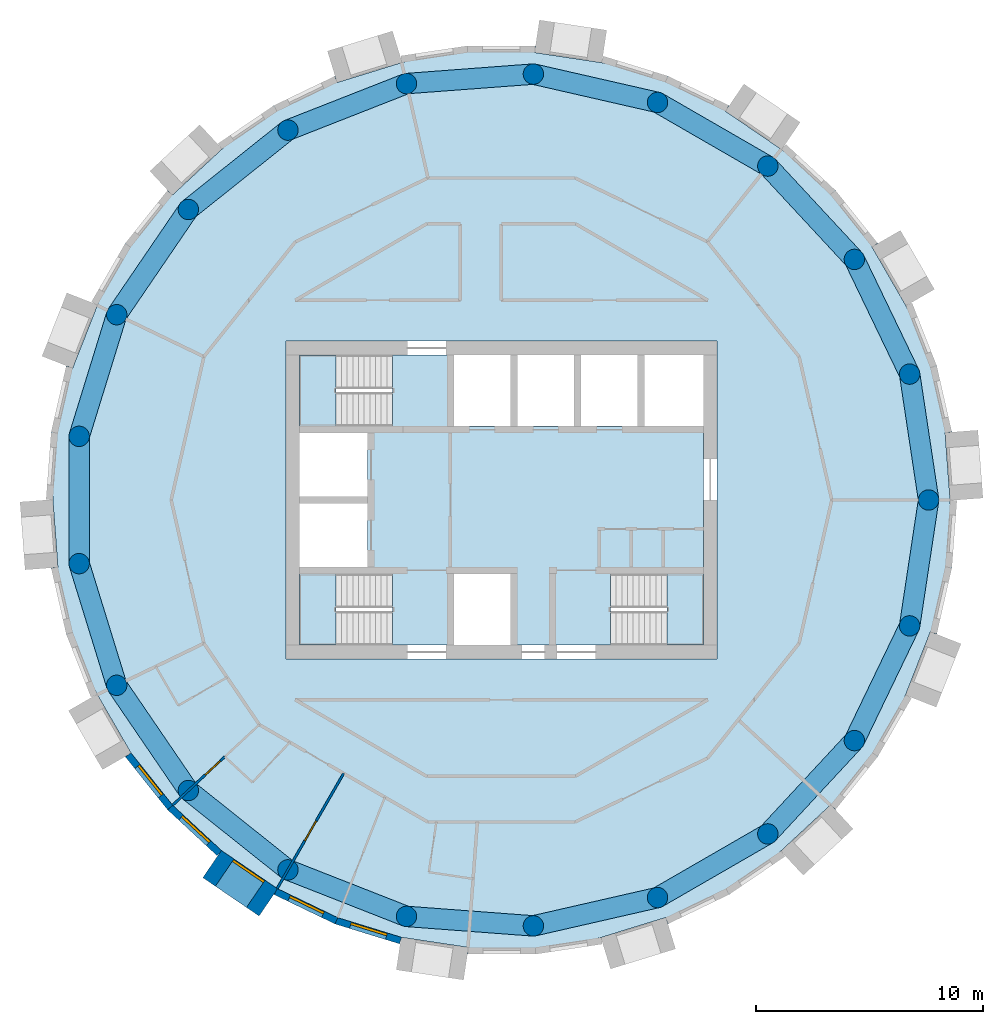
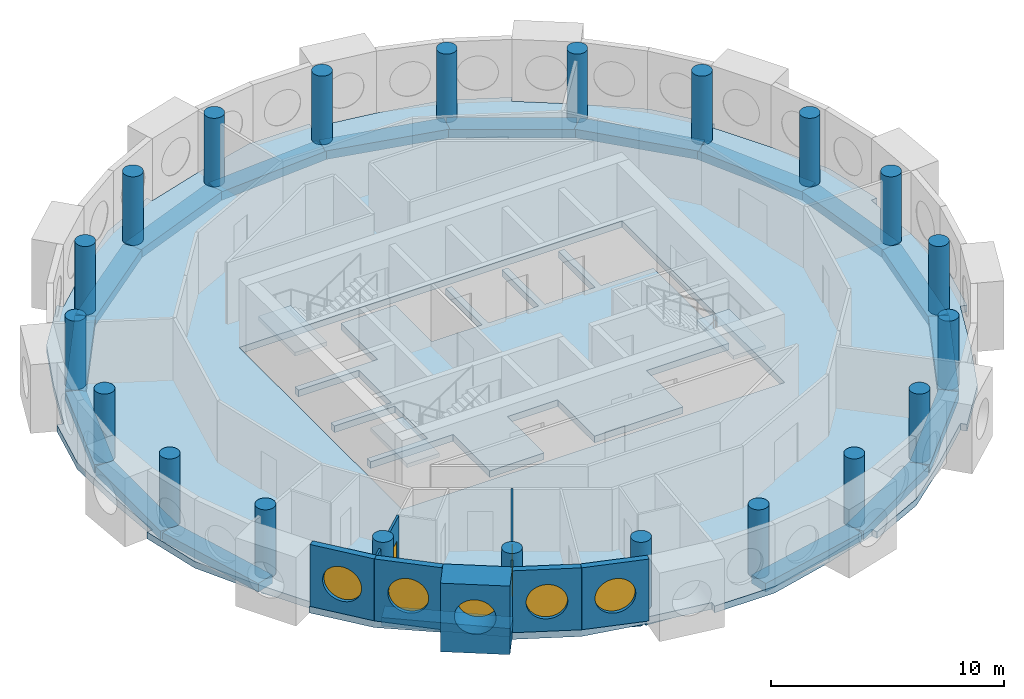
# One storey, part 1 of 12: 21 beams, 21 columns, 7 walls, 5 slabs, 5 windows, 2 doors, 7 openings, 3 elements without a shape of their own.
"""IFC4 building model written with IfcOpenShell, lengths in metres."""

import ifcopenshell
import ifcopenshell.guid

model = None  # the IFC model being written
_history = None  # IfcOwnerHistory: only IFC2X3 demands one
_inside = {}  # id of a spatial element -> (the spatial element, [elements in it])
_under = {}  # id of a project, library or spatial element -> (it, [spatial elements below it])
_declared = {}  # id of a project -> (the project, [libraries it declares])
_typed = {}  # id of a type object -> (the type object, [elements of that type])
_made_of = {}  # id of a material, layer set ... -> (it, [elements and type objects made of it])


def new_model(schema):
    """Start an empty IFC model of exactly this schema.

    Asked for "IFC4X3", IfcOpenShell would pick the latest addendum, in which some entities
    have other attributes; the version numbers below select the first issue.
    IFC2X3 requires an IfcOwnerHistory on every rooted entity: one is made here for all.
    """
    global model, _history
    if schema == "IFC4X3":
        model = ifcopenshell.file(schema_version=(4, 3, 0, 0))
    else:
        model = ifcopenshell.file(schema=schema)
    _inside.clear()
    _under.clear()
    _declared.clear()
    _typed.clear()
    _made_of.clear()
    _history = None
    if model.schema == "IFC2X3":
        org = make("IfcOrganization", Name="unknown")
        user = make(
            "IfcPersonAndOrganization",
            ThePerson=make("IfcPerson", FamilyName="unknown"),
            TheOrganization=org,
        )
        app = make(
            "IfcApplication",
            ApplicationDeveloper=org,
            Version="unknown",
            ApplicationFullName="unknown",
            ApplicationIdentifier="unknown",
        )
        _history = make(
            "IfcOwnerHistory",
            OwningUser=user,
            OwningApplication=app,
            ChangeAction="ADDED",
            CreationDate=0,
        )
    return model


def make(cls, **values):
    """One entity of the class cls with the attributes given. An attribute that is None is left unset."""
    return model.create_entity(
        cls, **{name: value for name, value in values.items() if value is not None}
    )


def rooted(cls, **values):
    """An entity with a GlobalId (a new one), such as an element, a storey or a relation."""
    return make(cls, GlobalId=ifcopenshell.guid.new(), OwnerHistory=_history, **values)


def si_unit(unit_type, name, prefix=None):
    """IfcSIUnit, for example si_unit("LENGTHUNIT", "METRE", prefix="MILLI")."""
    return make("IfcSIUnit", UnitType=unit_type, Prefix=prefix, Name=name)


def assignment(units):
    """IfcUnitAssignment: the units of a project."""
    return None if units is None else make("IfcUnitAssignment", Units=units)


def point(xyz):
    """IfcCartesianPoint."""
    return None if xyz is None else make("IfcCartesianPoint", Coordinates=xyz)


def direction(xyz):
    """IfcDirection."""
    return None if xyz is None else make("IfcDirection", DirectionRatios=xyz)


def frame(location, z_axis=None, x_axis=None):
    """IfcAxis2Placement3D, a coordinate frame: its origin and axes. An axis left out is left unset."""
    return make(
        "IfcAxis2Placement3D",
        Location=point(location),
        Axis=direction(z_axis),
        RefDirection=direction(x_axis),
    )


def frame_2d(location, x_axis=None):
    """IfcAxis2Placement2D, a coordinate frame in the plane: its origin and x axis."""
    return make(
        "IfcAxis2Placement2D", Location=point(location), RefDirection=direction(x_axis)
    )


def origin():
    """The frame at (0, 0, 0) with its axes left unset."""
    return frame((0.0, 0.0, 0.0))


def origin_2d():
    """The frame at (0, 0) in the plane with its x axis left unset."""
    return frame_2d((0.0, 0.0))


def place(relative_to, where):
    """IfcLocalPlacement: puts the frame where relative to a parent placement (None: the world)."""
    return make(
        "IfcLocalPlacement", PlacementRelTo=relative_to, RelativePlacement=where
    )


def context(
    kind, dimensions, precision=None, world=None, true_north=None, identifier=None
):
    """IfcGeometricRepresentationContext, for example the 3D "Model" context."""
    return make(
        "IfcGeometricRepresentationContext",
        ContextIdentifier=identifier,
        ContextType=kind,
        CoordinateSpaceDimension=dimensions,
        Precision=precision,
        WorldCoordinateSystem=world,
        TrueNorth=true_north,
    )


def subcontext(parent, identifier, kind, view, scale=None):
    """IfcGeometricRepresentationSubContext, for example "Body" below "Model"."""
    return make(
        "IfcGeometricRepresentationSubContext",
        ContextIdentifier=identifier,
        ContextType=kind,
        ParentContext=parent,
        TargetScale=scale,
        TargetView=view,
    )


def project(units=None, contexts=None):
    """IfcProject with its units and contexts."""
    return rooted(
        "IfcProject",
        Name="project",
        RepresentationContexts=contexts,
        UnitsInContext=assignment(units),
    )


def spatial(cls, under=None, at=None, **own):
    """A site, building, storey or space (cls), placed at a placement, below another one or the project."""
    s = rooted(cls, ObjectPlacement=at, **own)
    if under is not None:
        _under.setdefault(under.id(), (under, []))[1].append(s)
    return s


def polyline(points):
    """IfcPolyline through the points."""
    return make("IfcPolyline", Points=[point(p) for p in points])


def profile(cls, at=None, kind="AREA", **sizes):
    """A parametric profile (cls). Its sizes go by their IFC names, for example OverallWidth=200.0."""
    return make(cls, ProfileType=kind, Position=at, **sizes)


def rectangle(**sizes):
    """IfcRectangleProfileDef."""
    return profile("IfcRectangleProfileDef", **sizes)


def circle(**sizes):
    """IfcCircleProfileDef."""
    return profile("IfcCircleProfileDef", **sizes)


def outline(outer, holes=None, kind="AREA"):
    """IfcArbitraryClosedProfileDef: a profile drawn as a closed curve; with holes, ...WithVoids."""
    if holes is None:
        return make("IfcArbitraryClosedProfileDef", ProfileType=kind, OuterCurve=outer)
    return make(
        "IfcArbitraryProfileDefWithVoids",
        ProfileType=kind,
        OuterCurve=outer,
        InnerCurves=holes,
    )


def extrude(swept, where, along, depth):
    """IfcExtrudedAreaSolid: the profile swept, set in the frame where, extruded along a direction by depth."""
    return make(
        "IfcExtrudedAreaSolid",
        SweptArea=swept,
        Position=where,
        ExtrudedDirection=direction(along),
        Depth=depth,
    )


def shape(context_of_items, identifier, shape_type, items):
    """IfcShapeRepresentation: the items that make up one representation, for example the "Body"."""
    return make(
        "IfcShapeRepresentation",
        ContextOfItems=context_of_items,
        RepresentationIdentifier=identifier,
        RepresentationType=shape_type,
        Items=items,
    )


def material(Name=None, Category=None):
    """IfcMaterial."""
    return make("IfcMaterial", Name=Name, Category=Category)


def layer(
    of_material, thickness, ventilated=None, Name=None, Category=None, Priority=None
):
    """IfcMaterialLayer: one layer of a wall or slab, of a material (None: an air gap)."""
    return make(
        "IfcMaterialLayer",
        Material=of_material,
        LayerThickness=thickness,
        IsVentilated=ventilated,
        Name=Name,
        Category=Category,
        Priority=Priority,
    )


def layer_set(layers, Name=None):
    """IfcMaterialLayerSet."""
    return make("IfcMaterialLayerSet", MaterialLayers=layers, LayerSetName=Name)


def material_profile(
    of_material, cross_section, Name=None, Category=None, Priority=None
):
    """IfcMaterialProfile: a cross section and its material."""
    return make(
        "IfcMaterialProfile",
        Name=Name,
        Material=of_material,
        Profile=cross_section,
        Priority=Priority,
        Category=Category,
    )


def profile_set(profiles, Name=None, composite=None):
    """IfcMaterialProfileSet."""
    return make(
        "IfcMaterialProfileSet",
        Name=Name,
        MaterialProfiles=profiles,
        CompositeProfile=composite,
    )


def made_of(thing, what):
    """Note that an element or type object is made of a material, layer set ...; save() writes the relation."""
    if what is not None:
        _made_of.setdefault(what.id(), (what, []))[1].append(thing)
    return thing


def type_object(cls, material=None, **own):
    """A type object (cls), such as IfcWallType, which elements share."""
    return made_of(rooted(cls, **own), material)


def element(
    cls,
    number,
    at=None,
    inside=None,
    cuts=None,
    type_object=None,
    material=None,
    context=None,
    identifier="Body",
    shape_type=None,
    held_by="IfcProductDefinitionShape",
    body=None,
    shapes=None,
    **own,
):
    """One element of the class cls, such as IfcWall. Its Tag is "e" and its number.

    at: its placement. inside: the storey or other place that contains it. cuts: it is an
    opening in that element (IfcRelVoidsElement). A single representation is given by context,
    identifier, shape_type and body (its items); several are given by shapes. held_by: the class
    of the entity that holds the representations. save() writes the other relations.
    """
    e = rooted(cls, Tag="e%d" % number, ObjectPlacement=at, **own)
    if body is not None:
        shapes = [shape(context, identifier, shape_type, body)]
    if shapes is not None:
        e.Representation = make(held_by, Representations=shapes)
    if inside is not None:
        _inside.setdefault(inside.id(), (inside, []))[1].append(e)
    if cuts is not None:
        rooted(
            "IfcRelVoidsElement", RelatingBuildingElement=cuts, RelatedOpeningElement=e
        )
    if type_object is not None:
        _typed.setdefault(type_object.id(), (type_object, []))[1].append(e)
    return made_of(e, material)


def fill(opening, filler):
    """IfcRelFillsElement: the door or window that sits in an opening."""
    return rooted(
        "IfcRelFillsElement",
        RelatingOpeningElement=opening,
        RelatedBuildingElement=filler,
    )


def aggregate(whole, parts):
    """IfcRelAggregates: a whole, such as a stair, and the parts it consists of."""
    return rooted("IfcRelAggregates", RelatingObject=whole, RelatedObjects=parts)


def save(model, path):
    """Write the relations noted so far, then the file.

    IfcRelAggregates (storeys below a building ...), IfcRelContainedInSpatialStructure (elements
    in a storey), IfcRelDefinesByType, IfcRelAssociatesMaterial and IfcRelDeclares: one each for
    every whole, place, type object, material and project.
    """
    for whole, parts in _under.values():
        aggregate(whole, parts)
    for where, things in _inside.values():
        rooted(
            "IfcRelContainedInSpatialStructure",
            RelatedElements=things,
            RelatingStructure=where,
        )
    for kind, things in _typed.values():
        rooted("IfcRelDefinesByType", RelatedObjects=things, RelatingType=kind)
    for what, things in _made_of.values():
        rooted("IfcRelAssociatesMaterial", RelatedObjects=things, RelatingMaterial=what)
    for by, libraries in _declared.values():
        rooted("IfcRelDeclares", RelatingContext=by, RelatedDefinitions=libraries)
    model.write(path)


model = new_model("IFC4")

# Units and contexts
model_context = context("Model", 3, precision=1e-05, world=origin(), true_north=direction((0.0, 1.0)))
body_context = subcontext(model_context, "Body", "Model", "MODEL_VIEW")
ifc_project = project(units=[si_unit("LENGTHUNIT", "METRE"), si_unit("AREAUNIT", "SQUARE_METRE"), si_unit("VOLUMEUNIT", "CUBIC_METRE"), si_unit("PLANEANGLEUNIT", "RADIAN"), si_unit("MASSUNIT", "GRAM", prefix="KILO")], contexts=[model_context])

# Site, building, storey
site_placement = place(None, origin())
site = spatial("IfcSite", under=ifc_project, at=site_placement, CompositionType="ELEMENT")
building_placement = place(site_placement, origin())
building = spatial("IfcBuilding", under=site, at=building_placement, Name="Tracery Tower", CompositionType="ELEMENT")
storey_placement = place(building_placement, frame((0.0, 0.0, 323.39990234375)))
storey = spatial("IfcBuildingStorey", under=building, at=storey_placement, Name="L84", CompositionType="ELEMENT", Elevation=323.39990234375)

# Columns
ifc_material_1 = material(Name="Concrete C40/50", Category="concrete")
ifc_material_profile_1 = material_profile(ifc_material_1, circle(Radius=0.449951171875, at=origin_2d()), Name="RC D900")
ifc_profile_set_1 = profile_set([ifc_material_profile_1], Name="Concrete C40/50")
column_type = type_object("IfcColumnType", Name="Ring 2 column 900", PredefinedType="COLUMN", material=ifc_profile_set_1)
for number, where, z_axis, x_axis, name in (
    (1, (18.822265625, 0.0, 0.0), (0.0, 0.0, 1.0), (1.0, 0.0, 0.0), "Ring 2 column 00 at L84"),
    (2, (17.986083984375, 5.5478515625, 0.0), (0.0, 0.0, 1.0), (1.0, 0.0, 0.0), "Ring 2 column 01 at L84"),
    (3, (15.551513671875, 10.602783203125, 0.0), (0.0, 0.0, 1.0), (1.0, 0.0, 0.0), "Ring 2 column 02 at L84"),
    (4, (11.7353515625, 14.7158203125, 0.0), (0.0, 0.0, 1.0), (1.0, 0.0, 0.0), "Ring 2 column 03 at L84"),
    (5, (6.87646484375, 17.52099609375, 0.0), (0.0, 0.0, 1.0), (1.0, 0.0, 0.0), "Ring 2 column 04 at L84"),
    (6, (1.406494140625, 18.76953125, 0.0), (0.0, 0.0, 1.0), (1.0, 0.0, 0.0), "Ring 2 column 05 at L84"),
    (7, (-4.188232421875, 18.350341796875, 0.0), (0.0, 0.0, 1.0), (1.0, 0.0, 0.0), "Ring 2 column 06 at L84"),
    (8, (-9.4111328125, 16.300537109375, 0.0), (0.0, 0.0, 1.0), (1.0, 0.0, 0.0), "Ring 2 column 07 at L84"),
    (9, (-13.797607421875, 12.802490234375, 0.0), (0.0, 0.0, 1.0), (1.0, 0.0, 0.0), "Ring 2 column 08 at L84"),
    (10, (-16.958251953125, 8.16650390625, 0.0), (0.0, 0.0, 1.0), (1.0, 0.0, 0.0), "Ring 2 column 09 at L84"),
    (11, (-18.612060546875, 2.805419921875, 0.0), (0.0, 0.0, 1.0), (1.0, 0.0, 0.0), "Ring 2 column 10 at L84"),
    (12, (-18.612060546875, -2.805419921875, 0.0), (0.0, 0.0, 1.0), (1.0, 0.0, 0.0), "Ring 2 column 11 at L84"),
    (13, (-16.958251953125, -8.166748046875, 0.0), (0.0, 0.0, 1.0), (1.0, 0.0, 0.0), "Ring 2 column 12 at L84"),
    (14, (-13.797607421875, -12.80224609375, 0.0), (0.0, 0.0, 1.0), (1.0, 0.0, 0.0), "Ring 2 column 13 at L84"),
    (15, (-9.4111328125, -16.300537109375, 0.0), (0.0, 0.0, 1.0), (1.0, 0.0, 0.0), "Ring 2 column 14 at L84"),
    (16, (-4.188232421875, -18.350341796875, 0.0), (0.0, 0.0, 1.0), (1.0, 0.0, 0.0), "Ring 2 column 15 at L84"),
    (17, (1.406494140625, -18.76953125, 0.0), (0.0, 0.0, 1.0), (1.0, 0.0, 0.0), "Ring 2 column 16 at L84"),
    (18, (6.87646484375, -17.52099609375, 0.0), (0.0, 0.0, 1.0), (1.0, 0.0, 0.0), "Ring 2 column 17 at L84"),
    (19, (11.7353515625, -14.7158203125, 0.0), (0.0, 0.0, 1.0), (1.0, 0.0, 0.0), "Ring 2 column 18 at L84"),
    (20, (15.551513671875, -10.602783203125, 0.0), (0.0, 0.0, 1.0), (1.0, 0.0, 0.0), "Ring 2 column 19 at L84"),
    (21, (17.986083984375, -5.5478515625, 0.0), (0.0, 0.0, 1.0), (1.0, 0.0, 0.0), "Ring 2 column 20 at L84"),
):
    element("IfcColumn", number, at=place(storey_placement, frame(where, z_axis=z_axis, x_axis=x_axis)), inside=storey, type_object=column_type, Name=name, PredefinedType="COLUMN", context=body_context, shape_type="SweptSolid", body=[
        extrude(circle(Radius=0.449951171875, at=origin_2d()), origin(), (0.0, 0.0, 1.0), 3.60009765625),
    ])

# Beams
ifc_material_2 = material(Name="Concrete C40/50", Category="concrete")
ifc_material_profile_2 = material_profile(ifc_material_2, rectangle(XDim=0.89990234375, YDim=0.449951171875, at=origin_2d()), Name="RC 900x450")
ifc_profile_set_2 = profile_set([ifc_material_profile_2], Name="Concrete C40/50")
beam_type = type_object("IfcBeamType", Name="Perimeter band beam 900x450", PredefinedType="BEAM", material=ifc_profile_set_2)
for number, where, z_axis, x_axis, name in (
    (22, (18.822265625, 0.0, -0.574951171875), (-0.149038355855, 0.988831415603, 0.0), (-0.988831415603, -0.149038355855, 0.0), "Perimeter beam 2.00 under L84"),
    (23, (17.986083984375, 5.5478515625, -0.574951171875), (-0.433918973155, 0.900951899235, 0.0), (-0.900951899235, -0.433918973155, 0.0), "Perimeter beam 2.01 under L84"),
):
    element("IfcBeam", number, at=place(storey_placement, frame(where, z_axis=z_axis, x_axis=x_axis)), inside=storey, type_object=beam_type, Name=name, PredefinedType="BEAM", context=body_context, shape_type="SweptSolid", body=[
        extrude(rectangle(XDim=0.89990234375, YDim=0.449951171875, at=origin_2d()), origin(), (0.0, 0.0, 1.0), 5.610595703125),
    ])
beam_1_placement = place(storey_placement, frame((15.551513671875, 10.602783203125, -0.574951171875), z_axis=(-0.680155630824, 0.733067744386, 0.0), x_axis=(-0.733067744386, -0.680155630824, 0.0)))
element("IfcBeam", 24, at=beam_1_placement, inside=storey, type_object=beam_type, Name="Perimeter beam 2.02 under L84", PredefinedType="BEAM", context=body_context, shape_type="SweptSolid", body=[
    extrude(rectangle(XDim=0.89990234375, YDim=0.449951171875, at=origin_2d()), origin(), (0.0, 0.0, 1.0), 5.61083984375),
])
for number, where, z_axis, x_axis, name in (
    (25, (11.7353515625, 14.7158203125, -0.574951171875), (-0.866033412818, 0.49998612769, 0.0), (-0.49998612769, -0.866033412818, 0.0), "Perimeter beam 2.03 under L84"),
    (26, (6.87646484375, 17.52099609375, -0.574951171875), (-0.974925977366, 0.222529410768, 0.0), (-0.222529410768, -0.974925977366, 0.0), "Perimeter beam 2.04 under L84"),
):
    element("IfcBeam", number, at=place(storey_placement, frame(where, z_axis=z_axis, x_axis=x_axis)), inside=storey, type_object=beam_type, Name=name, PredefinedType="BEAM", context=body_context, shape_type="SweptSolid", body=[
        extrude(rectangle(XDim=0.89990234375, YDim=0.449951171875, at=origin_2d()), origin(), (0.0, 0.0, 1.0), 5.610595703125),
    ])
beam_2_placement = place(storey_placement, frame((1.406494140625, 18.76953125, -0.574951171875), z_axis=(-0.997204824387, -0.07471638521, 0.0), x_axis=(0.07471638521, -0.997204824387, 0.0)))
element("IfcBeam", 27, at=beam_2_placement, inside=storey, type_object=beam_type, Name="Perimeter beam 2.05 under L84", PredefinedType="BEAM", context=body_context, shape_type="SweptSolid", body=[
    extrude(rectangle(XDim=0.89990234375, YDim=0.449951171875, at=origin_2d()), origin(), (0.0, 0.0, 1.0), 5.6103515625),
])
beam_3_placement = place(storey_placement, frame((-4.188232421875, 18.350341796875, -0.574951171875), z_axis=(-0.930875728468, -0.365335979817, 0.0), x_axis=(0.365335979817, -0.930875728468, 0.0)))
element("IfcBeam", 28, at=beam_3_placement, inside=storey, type_object=beam_type, Name="Perimeter beam 2.06 under L84", PredefinedType="BEAM", context=body_context, shape_type="SweptSolid", body=[
    extrude(rectangle(XDim=0.89990234375, YDim=0.449951171875, at=origin_2d()), origin(), (0.0, 0.0, 1.0), 5.61083984375),
])
beam_4_placement = place(storey_placement, frame((-9.4111328125, 16.300537109375, -0.574951171875), z_axis=(-0.781835817725, -0.623484365579, 0.0), x_axis=(0.623484365579, -0.781835817725, 0.0)))
element("IfcBeam", 29, at=beam_4_placement, inside=storey, type_object=beam_type, Name="Perimeter beam 2.07 under L84", PredefinedType="BEAM", context=body_context, shape_type="SweptSolid", body=[
    extrude(rectangle(XDim=0.89990234375, YDim=0.449951171875, at=origin_2d()), origin(), (0.0, 0.0, 1.0), 5.610595703125),
])
beam_5_placement = place(storey_placement, frame((-13.797607421875, 12.802490234375, -0.574951171875), z_axis=(-0.563305770578, -0.826248515178, 0.0), x_axis=(0.826248515178, -0.563305770578, 0.0)))
element("IfcBeam", 30, at=beam_5_placement, inside=storey, type_object=beam_type, Name="Perimeter beam 2.08 under L84", PredefinedType="BEAM", context=body_context, shape_type="SweptSolid", body=[
    extrude(rectangle(XDim=0.89990234375, YDim=0.449951171875, at=origin_2d()), origin(), (0.0, 0.0, 1.0), 5.61083984375),
])
beam_6_placement = place(storey_placement, frame((-16.958251953125, 8.16650390625, -0.574951171875), z_axis=(-0.294776851839, -0.955566118916, 0.0), x_axis=(0.955566118916, -0.294776851839, 0.0)))
element("IfcBeam", 31, at=beam_6_placement, inside=storey, type_object=beam_type, Name="Perimeter beam 2.09 under L84", PredefinedType="BEAM", context=body_context, shape_type="SweptSolid", body=[
    extrude(rectangle(XDim=0.89990234375, YDim=0.449951171875, at=origin_2d()), origin(), (0.0, 0.0, 1.0), 5.6103515625),
])
beam_7_placement = place(storey_placement, frame((-18.612060546875, 2.805419921875, -0.574951171875), z_axis=(0.0, -1.0, 0.0), x_axis=(1.0, 0.0, 0.0)))
element("IfcBeam", 32, at=beam_7_placement, inside=storey, type_object=beam_type, Name="Perimeter beam 2.10 under L84", PredefinedType="BEAM", context=body_context, shape_type="SweptSolid", body=[
    extrude(rectangle(XDim=0.89990234375, YDim=0.449951171875, at=origin_2d()), origin(), (0.0, 0.0, 1.0), 5.61083984375),
])
for number, where, z_axis, x_axis, name in (
    (33, (-18.612060546875, -2.805419921875, -0.574951171875), (0.294764594813, -0.955569899926, 0.0), (0.955569899926, 0.294764594813, 0.0), "Perimeter beam 2.11 under L84"),
    (34, (-16.958251953125, -8.166748046875, -0.574951171875), (0.5633462764, -0.826220898348, 0.0), (0.826220898348, 0.5633462764, 0.0), "Perimeter beam 2.12 under L84"),
    (35, (-13.797607421875, -12.80224609375, -0.574951171875), (0.781814605872, -0.623510963853, 0.0), (0.623510963853, 0.781814605872, 0.0), "Perimeter beam 2.13 under L84"),
):
    element("IfcBeam", number, at=place(storey_placement, frame(where, z_axis=z_axis, x_axis=x_axis)), inside=storey, type_object=beam_type, Name=name, PredefinedType="BEAM", context=body_context, shape_type="SweptSolid", body=[
        extrude(rectangle(XDim=0.89990234375, YDim=0.449951171875, at=origin_2d()), origin(), (0.0, 0.0, 1.0), 5.610595703125),
    ])
beam_8_placement = place(storey_placement, frame((-9.4111328125, -16.300537109375, -0.574951171875), z_axis=(0.930875728468, -0.365335979817, 0.0), x_axis=(0.365335979817, 0.930875728468, 0.0)))
element("IfcBeam", 36, at=beam_8_placement, inside=storey, type_object=beam_type, Name="Perimeter beam 2.14 under L84", PredefinedType="BEAM", context=body_context, shape_type="SweptSolid", body=[
    extrude(rectangle(XDim=0.89990234375, YDim=0.449951171875, at=origin_2d()), origin(), (0.0, 0.0, 1.0), 5.61083984375),
])
beam_9_placement = place(storey_placement, frame((-4.188232421875, -18.350341796875, -0.574951171875), z_axis=(0.997204824387, -0.07471638521, 0.0), x_axis=(0.07471638521, 0.997204824387, 0.0)))
element("IfcBeam", 37, at=beam_9_placement, inside=storey, type_object=beam_type, Name="Perimeter beam 2.15 under L84", PredefinedType="BEAM", context=body_context, shape_type="SweptSolid", body=[
    extrude(rectangle(XDim=0.89990234375, YDim=0.449951171875, at=origin_2d()), origin(), (0.0, 0.0, 1.0), 5.6103515625),
])
for number, where, z_axis, x_axis, name in (
    (38, (1.406494140625, -18.76953125, -0.574951171875), (0.974925977366, 0.222529410768, 0.0), (-0.222529410768, 0.974925977366, 0.0), "Perimeter beam 2.16 under L84"),
    (39, (6.87646484375, -17.52099609375, -0.574951171875), (0.866033412818, 0.49998612769, 0.0), (-0.49998612769, 0.866033412818, 0.0), "Perimeter beam 2.17 under L84"),
):
    element("IfcBeam", number, at=place(storey_placement, frame(where, z_axis=z_axis, x_axis=x_axis)), inside=storey, type_object=beam_type, Name=name, PredefinedType="BEAM", context=body_context, shape_type="SweptSolid", body=[
        extrude(rectangle(XDim=0.89990234375, YDim=0.449951171875, at=origin_2d()), origin(), (0.0, 0.0, 1.0), 5.610595703125),
    ])
beam_10_placement = place(storey_placement, frame((11.7353515625, -14.7158203125, -0.574951171875), z_axis=(0.680155630824, 0.733067744386, 0.0), x_axis=(-0.733067744386, 0.680155630824, 0.0)))
element("IfcBeam", 40, at=beam_10_placement, inside=storey, type_object=beam_type, Name="Perimeter beam 2.18 under L84", PredefinedType="BEAM", context=body_context, shape_type="SweptSolid", body=[
    extrude(rectangle(XDim=0.89990234375, YDim=0.449951171875, at=origin_2d()), origin(), (0.0, 0.0, 1.0), 5.61083984375),
])
for number, where, z_axis, x_axis, name in (
    (41, (15.551513671875, -10.602783203125, -0.574951171875), (0.433918973155, 0.900951899235, 0.0), (-0.900951899235, 0.433918973155, 0.0), "Perimeter beam 2.19 under L84"),
    (42, (17.986083984375, -5.5478515625, -0.574951171875), (0.149038355855, 0.988831415603, 0.0), (-0.988831415603, 0.149038355855, 0.0), "Perimeter beam 2.20 under L84"),
):
    element("IfcBeam", number, at=place(storey_placement, frame(where, z_axis=z_axis, x_axis=x_axis)), inside=storey, type_object=beam_type, Name=name, PredefinedType="BEAM", context=body_context, shape_type="SweptSolid", body=[
        extrude(rectangle(XDim=0.89990234375, YDim=0.449951171875, at=origin_2d()), origin(), (0.0, 0.0, 1.0), 5.610595703125),
    ])

# Slabs
ifc_material_3 = material(Name="Concrete C40/50", Category="concrete")
ifc_layer_1 = layer(ifc_material_3, 0.35009765625)
ifc_layer_set_1 = layer_set([ifc_layer_1], Name="Core floor slab 350 C40")
slab_type_1 = type_object("IfcSlabType", Name="Core floor slab 350 C40", PredefinedType="FLOOR", material=ifc_layer_set_1)
slab_1_placement = place(storey_placement, frame((0.0, 0.0, -0.349853515625)))
element("IfcSlab", 43, at=slab_1_placement, inside=storey, type_object=slab_type_1, Name="L84 core floor 1", PredefinedType="FLOOR", context=body_context, shape_type="SweptSolid", body=[
    extrude(outline(polyline([(-4.800537109375, -3.25), (-8.89990234375, -3.25), (-8.89990234375, -2.949951171875), (-5.89990234375, -2.949951171875), (-5.89990234375, -0.14990234375), (-8.89990234375, -0.14990234375), (-8.89990234375, 0.14990234375), (-5.89990234375, 0.14990234375), (-5.89990234375, 2.949951171875), (-8.89990234375, 2.949951171875), (-8.89990234375, 3.25), (-4.800537109375, 3.25), (-4.800537109375, 6.39990234375), (-2.10009765625, 6.39990234375), (-2.10009765625, 3.25), (0.39990234375, 3.25), (0.39990234375, 6.39990234375), (0.699951171875, 6.39990234375), (0.699951171875, 3.25), (3.199951171875, 3.25), (3.199951171875, 6.39990234375), (3.5, 6.39990234375), (3.5, 3.25), (6.0, 3.25), (6.0, 6.39990234375), (6.300048828125, 6.39990234375), (6.300048828125, 3.25), (8.89990234375, 3.25), (8.89990234375, -3.25), (4.800537109375, -3.25), (4.800537109375, -6.39990234375), (0.39990234375, -6.39990234375), (0.39990234375, -3.25), (-2.10009765625, -3.25), (-2.10009765625, -6.39990234375), (-4.800537109375, -6.39990234375), (-4.800537109375, -3.25)])), origin(), (0.0, 0.0, 1.0), 0.349853515625),
])
ifc_material_4 = material(Name="Concrete C40/50", Category="concrete")
ifc_layer_2 = layer(ifc_material_4, 0.35009765625)
ifc_layer_set_2 = layer_set([ifc_layer_2], Name="Floor slab 350")
slab_type_2 = type_object("IfcSlabType", Name="Floor slab 350", PredefinedType="FLOOR", material=ifc_layer_set_2)
slab_2_placement = place(storey_placement, frame((0.0, 0.0, -0.349853515625)))
element("IfcSlab", 44, at=slab_2_placement, inside=storey, type_object=slab_type_2, Name="Floor slab L84", PredefinedType="FLOOR", context=body_context, shape_type="SweptSolid", body=[
    extrude(outline(polyline([(19.550537109375, 2.94677734375), (19.548828125, 2.96923828125), (19.847900390625, 2.99169921875), (19.180419921875, 5.91650390625), (17.813720703125, 8.577880859375), (16.32470703125, 11.156982421875), (16.583984375, 11.306884765625), (16.58447265625, 11.30712890625), (14.714111328125, 13.652587890625), (12.3271484375, 15.4580078125), (9.8671875, 17.13525390625), (10.0361328125, 17.383056640625), (7.333251953125, 18.684814453125), (4.3994140625, 19.275634765625), (2.3466796875, 19.585205078125), (1.455322265625, 19.719482421875), (1.5, 20.01611328125), (1.5, 20.01611328125), (-1.5, 20.01611328125), (-4.3994140625, 19.275634765625), (-7.223388671875, 18.404541015625), (-7.223388671875, 18.404541015625), (-7.244873046875, 18.39794921875), (-7.333251953125, 18.684814453125), (-10.0361328125, 17.383056640625), (-12.3271484375, 15.4580078125), (-14.493408203125, 13.447998046875), (-14.493408203125, 13.447998046875), (-14.510009765625, 13.4326171875), (-14.714111328125, 13.652587890625), (-14.714111328125, 13.652587890625), (-16.58447265625, 11.30712890625), (-17.81298828125, 8.5791015625), (-18.901123046875, 5.806884765625), (-19.180419921875, 5.91650390625), (-19.847900390625, 2.99169921875), (-19.771484375, 0.000732421875), (-19.63720703125, -1.789306640625), (-19.550537109375, -2.94677734375), (-19.550537109375, -2.94677734375), (-19.548828125, -2.96923828125), (-19.847900390625, -2.99169921875), (-19.180419921875, -5.91650390625), (-17.813720703125, -8.577880859375), (-16.32470703125, -11.156982421875), (-16.583984375, -11.306884765625), (-16.58447265625, -11.30712890625), (-14.714111328125, -13.652587890625), (-12.3271484375, -15.4580078125), (-9.8671875, -17.13525390625), (-10.0361328125, -17.383056640625), (-7.333251953125, -18.684814453125), (-4.3994140625, -19.275634765625), (-2.3466796875, -19.585205078125), (-1.455322265625, -19.719482421875), (-1.5, -20.01611328125), (-1.5, -20.01611328125), (1.5, -20.01611328125), (4.3994140625, -19.275634765625), (7.223388671875, -18.404541015625), (7.223388671875, -18.404541015625), (7.244873046875, -18.39794921875), (7.333251953125, -18.684814453125), (10.0361328125, -17.383056640625), (12.3271484375, -15.4580078125), (14.493408203125, -13.447998046875), (14.493408203125, -13.447998046875), (14.510009765625, -13.4326171875), (14.714111328125, -13.652587890625), (14.714111328125, -13.652587890625), (16.58447265625, -11.30712890625), (17.81298828125, -8.5791015625), (18.901123046875, -5.806884765625), (19.180419921875, -5.91650390625), (19.847900390625, -2.99169921875), (19.771484375, -0.000732421875), (19.63720703125, 1.789306640625), (19.550537109375, 2.94677734375), (19.550537109375, 2.94677734375)]), holes=[polyline([(-9.5, -7.0), (9.5, -7.0), (9.5, 7.0), (-9.5, 7.0), (-9.5, -7.0)])]), origin(), (0.0, 0.0, 1.0), 0.349853515625),
])

# Stair, slab
ifc_material_5 = material(Name="Concrete C32/40", Category="concrete")
stair_type = type_object("IfcStairType", Name="Core stair 22 risers", PredefinedType="HALF_TURN_STAIR", material=ifc_material_5)
stair_1_placement = place(storey_placement, origin())
stair_1 = element("IfcStair", 45, at=stair_1_placement, inside=storey, type_object=stair_type, Name="L84 stair ST1", PredefinedType="HALF_TURN_STAIR")
ifc_material_6 = material(Name="Concrete C32/40", Category="concrete")
ifc_layer_3 = layer(ifc_material_6, 0.199951171875)
ifc_layer_set_3 = layer_set([ifc_layer_3], Name="Stair landing slab 200")
slab_type_3 = type_object("IfcSlabType", Name="Stair landing slab 200", PredefinedType="LANDING", material=ifc_layer_set_3)
slab_3_placement = place(storey_placement, frame((0.0, 0.0, 1.60009765625)))
slab_3 = element("IfcSlab", 46, at=slab_3_placement, type_object=slab_type_3, Name="ST1 landing 1", PredefinedType="LANDING", context=body_context, shape_type="SweptSolid", body=[
    extrude(outline(polyline([(-7.29931640625, -3.25), (-8.89990234375, -3.25), (-8.89990234375, -6.39990234375), (-7.29931640625, -6.39990234375), (-7.29931640625, -3.25)])), origin(), (0.0, 0.0, 1.0), 0.199951171875),
])
aggregate(stair_1, [slab_3])

stair_2_placement = place(storey_placement, origin())
stair_2 = element("IfcStair", 47, at=stair_2_placement, inside=storey, type_object=stair_type, Name="L84 stair ST3", PredefinedType="HALF_TURN_STAIR")
slab_4_placement = place(storey_placement, frame((0.0, 0.0, 1.60009765625)))
slab_4 = element("IfcSlab", 48, at=slab_4_placement, type_object=slab_type_3, Name="ST3 landing 1", PredefinedType="LANDING", context=body_context, shape_type="SweptSolid", body=[
    extrude(outline(polyline([(-7.29931640625, 6.39990234375), (-8.89990234375, 6.39990234375), (-8.89990234375, 3.25), (-7.29931640625, 3.25), (-7.29931640625, 6.39990234375)])), origin(), (0.0, 0.0, 1.0), 0.199951171875),
])
aggregate(stair_2, [slab_4])

stair_3_placement = place(storey_placement, origin())
stair_3 = element("IfcStair", 49, at=stair_3_placement, inside=storey, type_object=stair_type, Name="L84 stair ST2", PredefinedType="HALF_TURN_STAIR")
slab_5_placement = place(storey_placement, frame((0.0, 0.0, 1.60009765625)))
slab_5 = element("IfcSlab", 50, at=slab_5_placement, type_object=slab_type_3, Name="ST2 landing 1", PredefinedType="LANDING", context=body_context, shape_type="SweptSolid", body=[
    extrude(outline(polyline([(7.29931640625, -6.39990234375), (8.89990234375, -6.39990234375), (8.89990234375, -3.25), (7.29931640625, -3.25), (7.29931640625, -6.39990234375)])), origin(), (0.0, 0.0, 1.0), 0.199951171875),
])
aggregate(stair_3, [slab_5])

# Wall, opening, window
ifc_material_7 = material(Name="Precast concrete C50/60", Category="concrete")
ifc_layer_4 = layer(ifc_material_7, 1.449951171875)
ifc_layer_set_4 = layer_set([ifc_layer_4], Name="Deep-set bay unit 3000 x 3600, slab edge 350")
wall_type_1 = type_object("IfcWallType", Name="Deep-set bay unit 3000 x 3600, slab edge 350", PredefinedType="ELEMENTEDWALL", material=ifc_layer_set_4)
wall_1_placement = place(storey_placement, frame((-12.754150390625, -16.044189453125, -0.349853515625), z_axis=(0.0, 0.0, 1.0), x_axis=(0.826246281157, -0.563309047392, 0.0)))
wall_1 = element("IfcWall", 51, at=wall_1_placement, inside=storey, type_object=wall_type_1, Name="Deep-set bay unit 28 at L84", PredefinedType="ELEMENTEDWALL", context=body_context, shape_type="SweptSolid", body=[
    extrude(rectangle(XDim=3.0, YDim=1.449951171875, at=frame_2d((1.5, 0.0))), origin(), (0.0, 0.0, 1.0), 3.599853515625),
])
opening_1_placement = place(wall_1_placement, frame((1.5, 0.0, 1.89990234375)))
opening_1 = element("IfcOpeningElement", 52, at=opening_1_placement, cuts=wall_1, Name="Opening WN1", PredefinedType="OPENING", context=body_context, shape_type="SweptSolid", body=[
    extrude(circle(Radius=0.9000244140625, at=origin_2d()), frame((0.0, 0.73486328125, 0.0), z_axis=(0.0, -1.0, 0.0), x_axis=(1.0, 0.0, 0.0)), (0.0, 0.0, 1.0), 1.469970703125),
])
ifc_material_8 = material(Name="Aluminium frame with tinted double glazing", Category="aluminium")
window_type = type_object("IfcWindowType", Name="Round window 1800", PartitioningType="SINGLE_PANEL", PredefinedType="WINDOW", material=ifc_material_8)
window_1_placement = place(opening_1_placement, origin())
window_1 = element("IfcWindow", 53, at=window_1_placement, inside=storey, type_object=window_type, Name="Round window 28 at L84", OverallHeight=1.800048828125, OverallWidth=1.800048828125, PartitioningType="SINGLE_PANEL", PredefinedType="WINDOW", context=body_context, shape_type="SweptSolid", body=[
    extrude(circle(Radius=0.9000244140625, at=origin_2d()), frame((0.0, 0.69482421875, 0.0), z_axis=(0.0, -1.0, 0.0), x_axis=(1.0, 0.0, 0.0)), (0.0, 0.0, 1.0), 0.10009765625),
])
fill(opening_1, window_1)

ifc_material_9 = material(Name="Precast concrete C50/60", Category="concrete")
ifc_layer_5 = layer(ifc_material_9, 0.300048828125)
ifc_layer_set_5 = layer_set([ifc_layer_5], Name="Facade panel 3000 x 3250")
wall_type_2 = type_object("IfcWallType", Name="Facade panel 3000 x 3250", PredefinedType="SOLIDWALL", material=ifc_layer_set_5)
wall_2_placement = place(storey_placement, frame((-16.45068359375, -11.234375, 0.0), z_axis=(0.0, 0.0, 1.0), x_axis=(0.623498236992, -0.781824755599, 0.0)))
wall_2 = element("IfcWall", 54, at=wall_2_placement, inside=storey, type_object=wall_type_2, Name="Facade panel 26 at L84", PredefinedType="SOLIDWALL", context=body_context, shape_type="SweptSolid", body=[
    extrude(rectangle(XDim=2.962158203125, YDim=0.300048828125, at=frame_2d((1.48095703125, 0.0))), origin(), (0.0, 0.0, 1.0), 3.25),
])
opening_2_placement = place(wall_2_placement, frame((1.48095703125, 0.0, 1.5498046875)))
opening_2 = element("IfcOpeningElement", 55, at=opening_2_placement, cuts=wall_2, Name="Opening WN1", PredefinedType="OPENING", context=body_context, shape_type="SweptSolid", body=[
    extrude(circle(Radius=0.9000244140625, at=origin_2d()), frame((0.0, 0.159912109375, 0.0), z_axis=(0.0, -1.0, 0.0), x_axis=(1.0, 0.0, 0.0)), (0.0, 0.0, 1.0), 0.320068359375),
])
window_2_placement = place(opening_2_placement, origin())
window_2 = element("IfcWindow", 56, at=window_2_placement, inside=storey, type_object=window_type, Name="Round window 26 at L84", OverallHeight=1.800048828125, OverallWidth=1.800048828125, PartitioningType="SINGLE_PANEL", PredefinedType="WINDOW", context=body_context, shape_type="SweptSolid", body=[
    extrude(circle(Radius=0.9000244140625, at=origin_2d()), frame((0.0, 0.1201171875, 0.0), z_axis=(0.0, -1.0, 0.0), x_axis=(1.0, 0.0, 0.0)), (0.0, 0.0, 1.0), 0.10009765625),
])
fill(opening_2, window_2)

wall_3_placement = place(storey_placement, frame((-14.603759765625, -13.55029296875, 0.0), z_axis=(0.0, 0.0, 1.0), x_axis=(0.733066412643, -0.680157066165, 0.0)))
wall_3 = element("IfcWall", 57, at=wall_3_placement, inside=storey, type_object=wall_type_2, Name="Facade panel 27 at L84", PredefinedType="SOLIDWALL", context=body_context, shape_type="SweptSolid", body=[
    extrude(rectangle(XDim=2.96240234375, YDim=0.300048828125, at=frame_2d((1.481201171875, 0.0))), origin(), (0.0, 0.0, 1.0), 3.25),
])
opening_3_placement = place(wall_3_placement, frame((1.48095703125, 0.0, 1.5498046875)))
opening_3 = element("IfcOpeningElement", 58, at=opening_3_placement, cuts=wall_3, Name="Opening WN1", PredefinedType="OPENING", context=body_context, shape_type="SweptSolid", body=[
    extrude(circle(Radius=0.9000244140625, at=origin_2d()), frame((0.0, 0.159912109375, 0.0), z_axis=(0.0, -1.0, 0.0), x_axis=(1.0, 0.0, 0.0)), (0.0, 0.0, 1.0), 0.320068359375),
])
window_3_placement = place(opening_3_placement, origin())
window_3 = element("IfcWindow", 59, at=window_3_placement, inside=storey, type_object=window_type, Name="Round window 27 at L84", OverallHeight=1.800048828125, OverallWidth=1.800048828125, PartitioningType="SINGLE_PANEL", PredefinedType="WINDOW", context=body_context, shape_type="SweptSolid", body=[
    extrude(circle(Radius=0.9000244140625, at=origin_2d()), frame((0.0, 0.1201171875, 0.0), z_axis=(0.0, -1.0, 0.0), x_axis=(1.0, 0.0, 0.0)), (0.0, 0.0, 1.0), 0.10009765625),
])
fill(opening_3, window_3)

wall_4_placement = place(storey_placement, frame((-9.947021484375, -17.25927734375, 0.0), z_axis=(0.0, 0.0, 1.0), x_axis=(0.900939615635, -0.433944476838, 0.0)))
wall_4 = element("IfcWall", 60, at=wall_4_placement, inside=storey, type_object=wall_type_2, Name="Facade panel 29 at L84", PredefinedType="SOLIDWALL", context=body_context, shape_type="SweptSolid", body=[
    extrude(rectangle(XDim=2.962158203125, YDim=0.300048828125, at=frame_2d((1.48095703125, 0.0))), origin(), (0.0, 0.0, 1.0), 3.25),
])
opening_4_placement = place(wall_4_placement, frame((1.48095703125, 0.0, 1.5498046875)))
opening_4 = element("IfcOpeningElement", 61, at=opening_4_placement, cuts=wall_4, Name="Opening WN1", PredefinedType="OPENING", context=body_context, shape_type="SweptSolid", body=[
    extrude(circle(Radius=0.9000244140625, at=origin_2d()), frame((0.0, 0.159912109375, 0.0), z_axis=(0.0, -1.0, 0.0), x_axis=(1.0, 0.0, 0.0)), (0.0, 0.0, 1.0), 0.320068359375),
])
window_4_placement = place(opening_4_placement, origin())
window_4 = element("IfcWindow", 62, at=window_4_placement, inside=storey, type_object=window_type, Name="Round window 29 at L84", OverallHeight=1.800048828125, OverallWidth=1.800048828125, PartitioningType="SINGLE_PANEL", PredefinedType="WINDOW", context=body_context, shape_type="SweptSolid", body=[
    extrude(circle(Radius=0.9000244140625, at=origin_2d()), frame((0.0, 0.1201171875, 0.0), z_axis=(0.0, -1.0, 0.0), x_axis=(1.0, 0.0, 0.0)), (0.0, 0.0, 1.0), 0.10009765625),
])
fill(opening_4, window_4)

wall_5_placement = place(storey_placement, frame((-7.2783203125, -18.544677734375, 0.0), z_axis=(0.0, 0.0, 1.0), x_axis=(0.95558635705, -0.294711238707, 0.0)))
wall_5 = element("IfcWall", 63, at=wall_5_placement, inside=storey, type_object=wall_type_2, Name="Facade panel 30 at L84", PredefinedType="SOLIDWALL", context=body_context, shape_type="SweptSolid", body=[
    extrude(rectangle(XDim=2.96240234375, YDim=0.300048828125, at=frame_2d((1.481201171875, 0.0))), origin(), (0.0, 0.0, 1.0), 3.25),
])
opening_5_placement = place(wall_5_placement, frame((1.48095703125, 0.0, 1.5498046875)))
opening_5 = element("IfcOpeningElement", 64, at=opening_5_placement, cuts=wall_5, Name="Opening WN1", PredefinedType="OPENING", context=body_context, shape_type="SweptSolid", body=[
    extrude(circle(Radius=0.9000244140625, at=origin_2d()), frame((0.0, 0.159912109375, 0.0), z_axis=(0.0, -1.0, 0.0), x_axis=(1.0, 0.0, 0.0)), (0.0, 0.0, 1.0), 0.320068359375),
])
window_5_placement = place(opening_5_placement, origin())
window_5 = element("IfcWindow", 65, at=window_5_placement, inside=storey, type_object=window_type, Name="Round window 30 at L84", OverallHeight=1.800048828125, OverallWidth=1.800048828125, PartitioningType="SINGLE_PANEL", PredefinedType="WINDOW", context=body_context, shape_type="SweptSolid", body=[
    extrude(circle(Radius=0.9000244140625, at=origin_2d()), frame((0.0, 0.1201171875, 0.0), z_axis=(0.0, -1.0, 0.0), x_axis=(1.0, 0.0, 0.0)), (0.0, 0.0, 1.0), 0.10009765625),
])
fill(opening_5, window_5)

# Wall, opening, door
ifc_material_10 = material(Name="Plasterboard on steel studs", Category="steel")
ifc_layer_6 = layer(ifc_material_10, 0.10009765625)
ifc_layer_set_6 = layer_set([ifc_layer_6], Name="Partition 100 stud")
wall_type_3 = type_object("IfcWallType", Name="Partition 100 stud", PredefinedType="PARTITIONING", material=ifc_layer_set_6)
wall_6_placement = place(storey_placement, frame((-9.885986328125, -17.1220703125, 0.0), z_axis=(0.0, 0.0, 1.0), x_axis=(0.500022903925, 0.866012179793, 0.0)))
wall_6 = element("IfcWall", 66, at=wall_6_placement, inside=storey, type_object=wall_type_3, Name="Stud partition RC10-044", PredefinedType="PARTITIONING", context=body_context, shape_type="SweptSolid", body=[
    extrude(rectangle(XDim=5.861572265625, YDim=0.10009765625, at=frame_2d((2.9306640625, 0.0))), origin(), (0.0, 0.0, 1.0), 3.25),
])
opening_6_placement = place(wall_6_placement, frame((2.430419921875, 0.0, 0.0)))
opening_6 = element("IfcOpeningElement", 67, at=opening_6_placement, cuts=wall_6, Name="Opening RC10-09", PredefinedType="OPENING", context=body_context, shape_type="SweptSolid", body=[
    extrude(rectangle(XDim=1.0, YDim=2.0400390625, at=frame_2d((0.5, 1.02001953125))), frame((0.0, 0.050048828125, 0.0), z_axis=(0.0, -1.0, 0.0), x_axis=(1.0, 0.0, 0.0)), (0.0, 0.0, 1.0), 0.10009765625),
])
ifc_material_11 = material(Name="Timber door leaf", Category="wood")
door_type_1 = type_object("IfcDoorType", Name="Door communal room 1000", OperationType="NOTDEFINED", PredefinedType="DOOR", material=ifc_material_11)
door_1_placement = place(opening_6_placement, origin())
door_1 = element("IfcDoor", 68, at=door_1_placement, inside=storey, type_object=door_type_1, Name="Communal room door RC10-09", OperationType="SINGLE_SWING_RIGHT", OverallHeight=2.0400390625, OverallWidth=1.0, PredefinedType="DOOR", context=body_context, shape_type="SweptSolid", body=[
    extrude(rectangle(XDim=1.0, YDim=2.0400390625, at=frame_2d((0.5, 1.02001953125))), frame((0.0, 0.02490234375, 0.0), z_axis=(0.0, -1.0, 0.0), x_axis=(1.0, 0.0, 0.0)), (0.0, 0.0, 1.0), 0.050048828125),
])
fill(opening_6, door_1)

wall_7_placement = place(storey_placement, frame((-14.492919921875, -13.447998046875, 0.0), z_axis=(0.0, 0.0, 1.0), x_axis=(0.732887738731, 0.680349588387, 0.0)))
wall_7 = element("IfcWall", 69, at=wall_7_placement, inside=storey, type_object=wall_type_3, Name="Stud partition RC10-047", PredefinedType="PARTITIONING", context=body_context, shape_type="SweptSolid", body=[
    extrude(rectangle(XDim=3.13671875, YDim=0.10009765625, at=frame_2d((1.568359375, 0.0))), origin(), (0.0, 0.0, 1.0), 3.25),
])
opening_7_placement = place(wall_7_placement, frame((1.9599609375, 0.0, 0.0)))
opening_7 = element("IfcOpeningElement", 70, at=opening_7_placement, cuts=wall_7, Name="Opening RC10-11", PredefinedType="OPENING", context=body_context, shape_type="SweptSolid", body=[
    extrude(rectangle(XDim=0.89990234375, YDim=2.10009765625, at=frame_2d((0.449951171875, 1.050048828125))), frame((0.0, 0.050048828125, 0.0), z_axis=(0.0, -1.0, 0.0), x_axis=(1.0, 0.0, 0.0)), (0.0, 0.0, 1.0), 0.10009765625),
])
ifc_material_12 = material(Name="Timber door leaf", Category="wood")
door_type_2 = type_object("IfcDoorType", Name="Door bedroom 900", OperationType="NOTDEFINED", PredefinedType="DOOR", material=ifc_material_12)
door_2_placement = place(opening_7_placement, origin())
door_2 = element("IfcDoor", 71, at=door_2_placement, inside=storey, type_object=door_type_2, Name="Bedroom door RC10-11", OperationType="SINGLE_SWING_RIGHT", OverallHeight=2.10009765625, OverallWidth=0.89990234375, PredefinedType="DOOR", context=body_context, shape_type="SweptSolid", body=[
    extrude(rectangle(XDim=0.89990234375, YDim=2.10009765625, at=frame_2d((0.449951171875, 1.050048828125))), frame((0.0, 0.02490234375, 0.0), z_axis=(0.0, -1.0, 0.0), x_axis=(1.0, 0.0, 0.0)), (0.0, 0.0, 1.0), 0.050048828125),
])
fill(opening_7, door_2)

save(model, "model.ifc")
